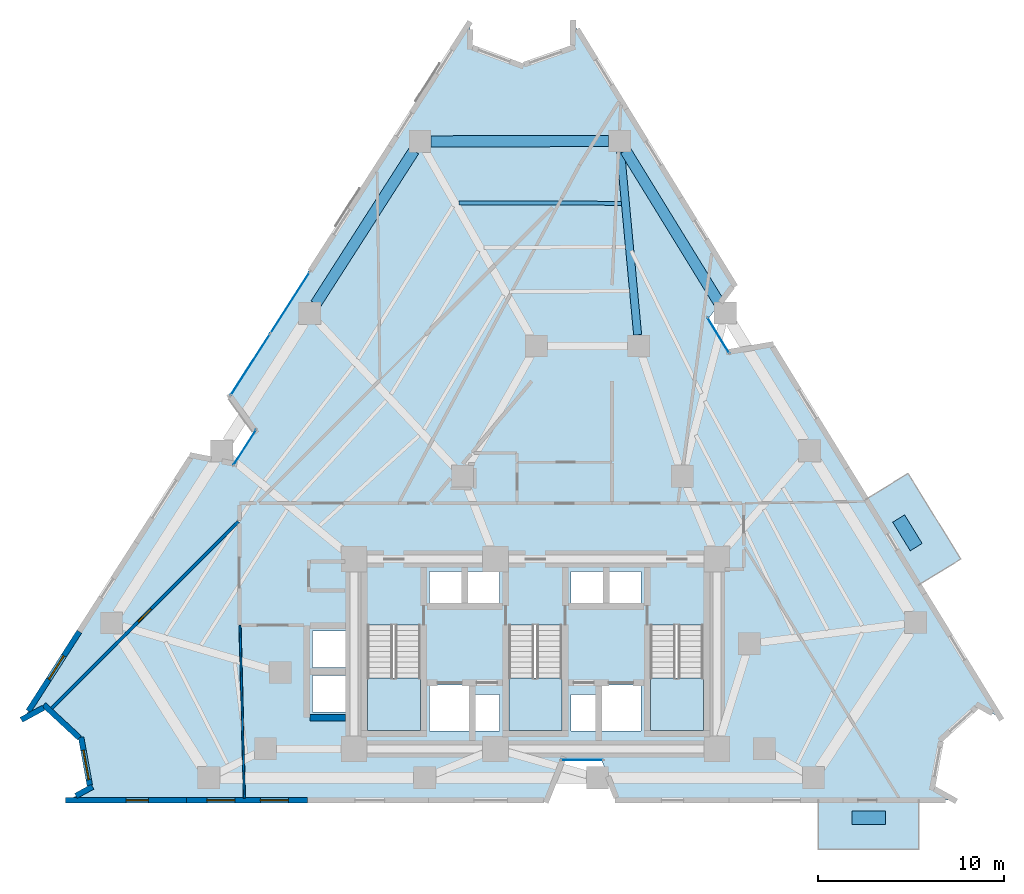
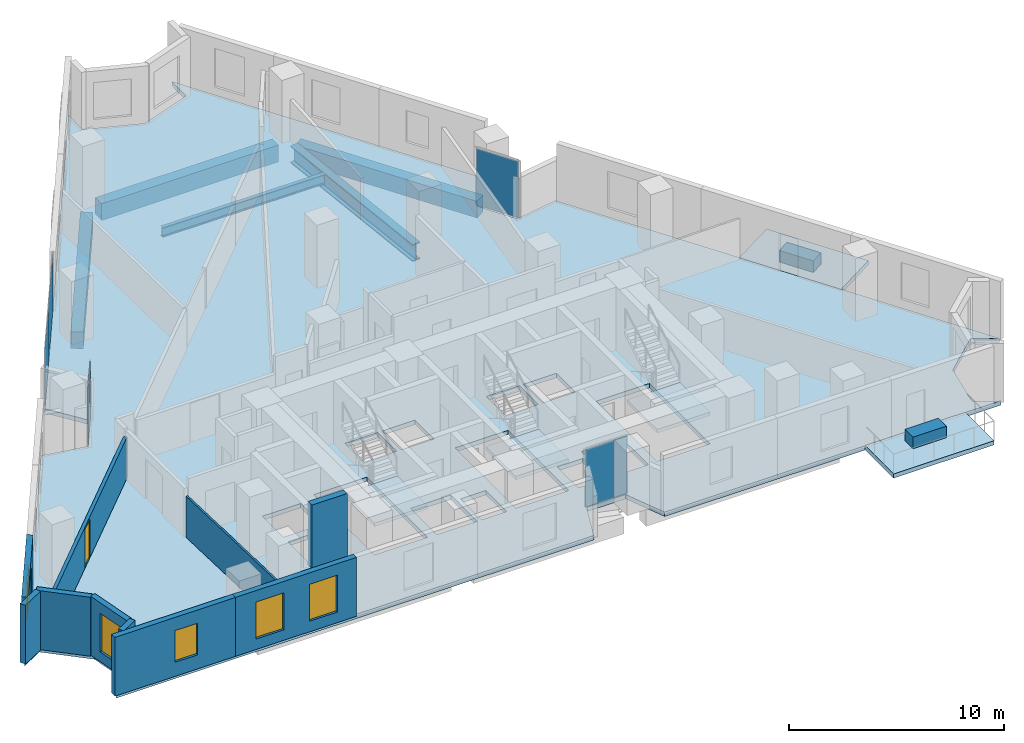
# One storey, part 5 of 12: 10 walls, 7 plates, 6 slabs, 5 beams, 5 windows, 1 door, 6 openings, 7 elements without a shape of their own.
"""IFC4 building model written with IfcOpenShell, lengths in metres."""

from ifc_helpers import new_model, si_unit, direction, frame, frame_2d, origin, origin_2d, place, context, subcontext, project, spatial, polyline, rectangle, i_section, outline, extrude, material, layer, layer_set, material_profile, profile_set, type_object, element, fill, aggregate, save


model = new_model("IFC4")

# Units and contexts
model_context = context("Model", 3, precision=1e-05, world=origin(), true_north=direction((0.0, 1.0)))
body_context = subcontext(model_context, "Body", "Model", "MODEL_VIEW")
ifc_project = project(units=[si_unit("LENGTHUNIT", "METRE"), si_unit("AREAUNIT", "SQUARE_METRE"), si_unit("VOLUMEUNIT", "CUBIC_METRE"), si_unit("PLANEANGLEUNIT", "RADIAN"), si_unit("MASSUNIT", "GRAM", prefix="KILO")], contexts=[model_context])

# Site, building, storey
site_placement = place(None, origin())
site = spatial("IfcSite", under=ifc_project, at=site_placement, CompositionType="ELEMENT")
building_placement = place(site_placement, origin())
building = spatial("IfcBuilding", under=site, at=building_placement, Name="Almagre Mirador Tower", CompositionType="ELEMENT")
storey_placement = place(building_placement, frame((0.0, 0.0, 93.0)))
storey = spatial("IfcBuildingStorey", under=building, at=storey_placement, Name="L23", CompositionType="ELEMENT", Elevation=93.0)

# Beams
ifc_material_1 = material(Name="Steel ASTM A992 Grade 50", Category="steel")
ifc_material_profile_1 = material_profile(ifc_material_1, i_section(OverallWidth=0.214111328125, OverallDepth=0.549072265625, WebThickness=0.0146484375, FlangeThickness=0.023681640625, FilletRadius=0.01806640625, at=origin_2d()), Name="W21X93")
ifc_profile_set_1 = profile_set([ifc_material_profile_1], Name="Steel ASTM A992 Grade 50")
beam_type_1 = type_object("IfcBeamType", Name="BM-JST-W21X93", PredefinedType="JOIST", material=ifc_profile_set_1)
beam_1_placement = place(storey_placement, frame((41.923095703125, 33.86328125, -0.5244140625), z_axis=(-0.999997681519, 0.00215335929, 0.0), x_axis=(-0.00215335929, -0.999997681519, 0.0)))
element("IfcBeam", 1, at=beam_1_placement, inside=storey, type_object=beam_type_1, Name="L23 secondary floor joist PC08-PC09.1", PredefinedType="JOIST", context=body_context, shape_type="SweptSolid", body=[
    extrude(i_section(OverallWidth=0.214111328125, OverallDepth=0.549072265625, WebThickness=0.0146484375, FlangeThickness=0.023681640625, FilletRadius=0.01806640625, at=origin_2d()), origin(), (0.0, 0.0, 1.0), 8.72998046875),
])
ifc_material_2 = material(Name="Precast concrete C50/60", Category="concrete")
ifc_material_profile_2 = material_profile(ifc_material_2, rectangle(XDim=0.60009765625, YDim=0.949951171875, at=origin_2d()), Name="RC600X950")
ifc_profile_set_2 = profile_set([ifc_material_profile_2], Name="Precast concrete C50/60")
beam_type_2 = type_object("IfcBeamType", Name="BM-SPN-RC600X950", PredefinedType="SPANDREL", material=ifc_profile_set_2)
beam_2_placement = place(storey_placement, frame((47.19189453125, 28.47900390625, -0.72509765625), z_axis=(-0.523685040843, 0.851911954369, 0.0), x_axis=(-0.851911954369, -0.523685040843, 0.0)))
element("IfcBeam", 2, at=beam_2_placement, inside=storey, type_object=beam_type_2, Name="L23 perimeter spandrel beam PC07-PC08", PredefinedType="SPANDREL", context=body_context, shape_type="SweptSolid", body=[
    extrude(rectangle(XDim=0.60009765625, YDim=0.949951171875, at=origin_2d()), origin(), (0.0, 0.0, 1.0), 9.646484375),
])
beam_3_placement = place(storey_placement, frame((41.22607421875, 37.206787109375, -0.72509765625), z_axis=(-0.999998482053, -0.001742380833, 0.0), x_axis=(0.001742380833, -0.999998482053, 0.0)))
element("IfcBeam", 3, at=beam_3_placement, inside=storey, type_object=beam_type_2, Name="L23 perimeter spandrel beam PC08-PC09", PredefinedType="SPANDREL", context=body_context, shape_type="SweptSolid", body=[
    extrude(rectangle(XDim=0.60009765625, YDim=0.949951171875, at=origin_2d()), origin(), (0.0, 0.0, 1.0), 9.528076171875),
])
beam_4_placement = place(storey_placement, frame((30.7744140625, 36.683837890625, -0.72509765625), z_axis=(-0.539465454843, -0.842007733356, 0.0), x_axis=(0.842007733356, -0.539465454843, 0.0)))
element("IfcBeam", 4, at=beam_4_placement, inside=storey, type_object=beam_type_2, Name="L23 perimeter spandrel beam PC09-PC10", PredefinedType="SPANDREL", context=body_context, shape_type="SweptSolid", body=[
    extrude(rectangle(XDim=0.60009765625, YDim=0.949951171875, at=origin_2d()), origin(), (0.0, 0.0, 1.0), 9.77392578125),
])
ifc_material_3 = material(Name="Steel ASTM A992 Grade 50", Category="steel")
ifc_material_profile_3 = material_profile(ifc_material_3, i_section(OverallWidth=0.427978515625, OverallDepth=0.97509765625, WebThickness=0.031005859375, FlangeThickness=0.055908203125, FilletRadius=0.028076171875, at=origin_2d()), Name="W36X395")
ifc_profile_set_3 = profile_set([ifc_material_profile_3], Name="Steel ASTM A992 Grade 50")
beam_type_3 = type_object("IfcBeamType", Name="BM-STL-W36X395", PredefinedType="BEAM", material=ifc_profile_set_3)
beam_5_placement = place(storey_placement, frame((41.881591796875, 36.610595703125, -0.737548828125), z_axis=(0.092621655493, -0.99570137538, 0.0), x_axis=(0.99570137538, 0.092621655493, 0.0)))
element("IfcBeam", 5, at=beam_5_placement, inside=storey, type_object=beam_type_3, Name="L23 radial floor girder PC08-MC6", PredefinedType="BEAM", context=body_context, shape_type="SweptSolid", body=[
    extrude(i_section(OverallWidth=0.427978515625, OverallDepth=0.97509765625, WebThickness=0.031005859375, FlangeThickness=0.055908203125, FilletRadius=0.028076171875, at=origin_2d()), origin(), (0.0, 0.0, 1.0), 9.855712890625),
])

# Curtain wall, plate
ifc_material_4 = material(Name="Black anodized aluminium", Category="aluminium")
ifc_layer_1 = layer(ifc_material_4, 0.169921875)
ifc_layer_set_1 = layer_set([ifc_layer_1], Name="Black anodized aluminium")
curtain_wall_type_1 = type_object("IfcCurtainWallType", Name="CW-CRS-SYS", PredefinedType="NOTDEFINED", material=ifc_layer_set_1)
curtain_wall_1_placement = place(storey_placement, origin())
curtain_wall_1 = element("IfcCurtainWall", 6, at=curtain_wall_1_placement, inside=storey, type_object=curtain_wall_type_1, Name="L23 vertical crease curtain wall 01", PredefinedType="NOTDEFINED")
ifc_material_5 = material(Name="Dark solar-control laminated hurricane glass", Category="glass")
ifc_layer_2 = layer(ifc_material_5, 0.028076171875)
ifc_layer_set_2 = layer_set([ifc_layer_2], Name="Dark solar-control laminated hurricane glass")
plate_type_1 = type_object("IfcPlateType", Name="PLT-GLZ-28", PredefinedType="CURTAIN_PANEL", material=ifc_layer_set_2)
plate_1_placement = place(storey_placement, frame((21.69091796875, 20.7451171875, 0.06005859375), z_axis=(0.0, 0.0, 1.0), x_axis=(0.539558777859, 0.841947934991, 0.0)))
plate_1 = element("IfcPlate", 7, at=plate_1_placement, type_object=plate_type_1, Name="CW-4 panel 1.1", PredefinedType="CURTAIN_PANEL", context=body_context, shape_type="SweptSolid", body=[
    extrude(rectangle(XDim=2.25048828125, YDim=0.028076171875, at=origin_2d()), origin(), (0.0, 0.0, 1.0), 3.22998046875),
])
aggregate(curtain_wall_1, [plate_1])

curtain_wall_2_placement = place(storey_placement, origin())
curtain_wall_2 = element("IfcCurtainWall", 8, at=curtain_wall_2_placement, inside=storey, type_object=curtain_wall_type_1, Name="L23 vertical crease curtain wall 03", PredefinedType="NOTDEFINED")
plate_2_placement = place(storey_placement, frame((47.132080078125, 26.761474609375, 0.06005859375), z_axis=(0.0, 0.0, 1.0), x_axis=(0.523414605102, -0.852078136772, 0.0)))
plate_2 = element("IfcPlate", 9, at=plate_2_placement, type_object=plate_type_1, Name="CW-4 panel 1.1", PredefinedType="CURTAIN_PANEL", context=body_context, shape_type="SweptSolid", body=[
    extrude(rectangle(XDim=2.250244140625, YDim=0.028076171875, at=origin_2d()), origin(), (0.0, 0.0, 1.0), 3.22998046875),
])
aggregate(curtain_wall_2, [plate_2])

curtain_wall_3_placement = place(storey_placement, origin())
curtain_wall_3 = element("IfcCurtainWall", 10, at=curtain_wall_3_placement, inside=storey, type_object=curtain_wall_type_1, Name="L23 vertical crease curtain wall 04", PredefinedType="NOTDEFINED")
plate_3_placement = place(storey_placement, frame((39.80810546875, 3.949951171875, 0.06005859375), z_axis=(0.0, 0.0, 1.0), x_axis=(-1.0, 0.0, 0.0)))
plate_3 = element("IfcPlate", 11, at=plate_3_placement, type_object=plate_type_1, Name="CW-4 panel 1.1", PredefinedType="CURTAIN_PANEL", context=body_context, shape_type="SweptSolid", body=[
    extrude(rectangle(XDim=2.25, YDim=0.028076171875, at=origin_2d()), origin(), (0.0, 0.0, 1.0), 3.22998046875),
])
aggregate(curtain_wall_3, [plate_3])

# Curtain wall, plates
ifc_material_6 = material(Name="Black anodized aluminium", Category="aluminium")
ifc_layer_3 = layer(ifc_material_6, 0.18994140625)
ifc_layer_set_3 = layer_set([ifc_layer_3], Name="Black anodized aluminium")
curtain_wall_type_2 = type_object("IfcCurtainWallType", Name="CW-RES-L-SYS", PredefinedType="NOTDEFINED", material=ifc_layer_set_3)
curtain_wall_4_placement = place(storey_placement, origin())
curtain_wall_4 = element("IfcCurtainWall", 12, at=curtain_wall_4_placement, inside=storey, type_object=curtain_wall_type_2, Name="L23 curtain wall run 02", PredefinedType="NOTDEFINED")
ifc_material_7 = material(Name="Dark solar-control laminated hurricane glass", Category="glass")
ifc_layer_4 = layer(ifc_material_7, 0.031982421875)
ifc_layer_set_4 = layer_set([ifc_layer_4], Name="Dark solar-control laminated hurricane glass")
plate_type_2 = type_object("IfcPlateType", Name="PLT-GLZ-32", PredefinedType="CURTAIN_PANEL", material=ifc_layer_set_4)
plate_4_placement = place(storey_placement, frame((21.98876953125, 25.194091796875, 0.06005859375), z_axis=(0.0, 0.0, 1.0), x_axis=(0.539450916101, 0.842017047997, 0.0)))
plate_4 = element("IfcPlate", 13, at=plate_4_placement, type_object=plate_type_2, Name="CW-2 panel 1.1", PredefinedType="CURTAIN_PANEL", context=body_context, shape_type="SweptSolid", body=[
    extrude(rectangle(XDim=3.884521484375, YDim=0.031982421875, at=origin_2d()), origin(), (0.0, 0.0, 1.0), 3.22998046875),
])
plate_5_placement = place(storey_placement, frame((24.119384765625, 28.519775390625, 0.06005859375), z_axis=(0.0, 0.0, 1.0), x_axis=(0.539450916101, 0.842017047997, 0.0)))
plate_5 = element("IfcPlate", 14, at=plate_5_placement, type_object=plate_type_2, Name="CW-2 panel 2.1", PredefinedType="CURTAIN_PANEL", context=body_context, shape_type="SweptSolid", body=[
    extrude(rectangle(XDim=3.884521484375, YDim=0.031982421875, at=origin_2d()), origin(), (0.0, 0.0, 1.0), 3.22998046875),
])
aggregate(curtain_wall_4, [plate_4, plate_5])

# Plates
ifc_material_8 = material(Name="Precast concrete C50/60", Category="concrete")
ifc_layer_5 = layer(ifc_material_8, 0.64990234375)
ifc_layer_set_5 = layer_set([ifc_layer_5], Name="Precast concrete C50/60")
plate_type_3 = type_object("IfcPlateType", Name="PLT-PLANTER-1800", PredefinedType="USERDEFINED", material=ifc_layer_set_5)
for number, where, z_axis, x_axis, name in (
    (15, (55.199951171875, 0.85009765625, 0.0), (0.0, 0.0, 1.0), (1.0, 0.0, 0.0), "L23 south balcony structural tree planter 1"),
    (16, (57.2890625, 16.157958984375, 0.0), (0.0, 0.0, 1.0), (-0.523688565266, 0.851909787835, 0.0), "L23 east balcony structural tree planter 2"),
):
    element("IfcPlate", number, at=place(storey_placement, frame(where, z_axis=z_axis, x_axis=x_axis)), inside=storey, type_object=plate_type_3, Name=name, ObjectType="PLANTER", PredefinedType="USERDEFINED", context=body_context, shape_type="SweptSolid", body=[
        extrude(rectangle(XDim=1.800048828125, YDim=0.75, at=origin_2d()), origin(), (0.0, 0.0, 1.0), 0.64990234375),
    ])

# Slabs
ifc_material_9 = material(Name="Concrete C45/55", Category="concrete")
ifc_layer_6 = layer(ifc_material_9, 0.239990234375)
ifc_layer_set_6 = layer_set([ifc_layer_6], Name="Concrete C45/55")
slab_type_1 = type_object("IfcSlabType", Name="SLB-BAL-240", PredefinedType="USERDEFINED", material=ifc_layer_set_6)
slab_1_placement = place(storey_placement, frame((0.0, 0.0, -0.239990234375)))
element("IfcSlab", 17, at=slab_1_placement, inside=storey, type_object=slab_type_1, Name="L23 south planted tree balcony 1", ObjectType="BALCONY", PredefinedType="USERDEFINED", context=body_context, shape_type="SweptSolid", body=[
    extrude(outline(polyline([(52.5, 1.820068359375), (57.89990234375, 1.820068359375), (57.89990234375, -0.85009765625), (52.5, -0.85009765625), (52.5, 1.820068359375)])), origin(), (0.0, 0.0, 1.0), 0.239990234375),
])
slab_2_placement = place(storey_placement, frame((0.0, 0.0, -0.239990234375)))
element("IfcSlab", 18, at=slab_2_placement, inside=storey, type_object=slab_type_1, Name="L23 east planted tree balcony 2", ObjectType="BALCONY", PredefinedType="USERDEFINED", context=body_context, shape_type="SweptSolid", body=[
    extrude(outline(polyline([(57.876953125, 13.35009765625), (55.049072265625, 17.949951171875), (57.323974609375, 19.347900390625), (60.152099609375, 14.748046875), (57.876953125, 13.35009765625)])), origin(), (0.0, 0.0, 1.0), 0.239990234375),
])
ifc_material_10 = material(Name="Concrete C45/55", Category="concrete")
ifc_layer_7 = layer(ifc_material_10, 0.25)
ifc_layer_set_7 = layer_set([ifc_layer_7], Name="Concrete C45/55")
slab_type_2 = type_object("IfcSlabType", Name="SLB-FLR-250", PredefinedType="FLOOR", material=ifc_layer_set_7)
slab_3_placement = place(storey_placement, frame((0.0, 0.0, -0.25)))
element("IfcSlab", 19, at=slab_3_placement, inside=storey, type_object=slab_type_2, Name="L23 structural floor slab", PredefinedType="FLOOR", context=body_context, shape_type="SweptSolid", body=[
    extrude(outline(polyline([(9.804931640625, 6.177978515625), (10.989990234375, 6.825927734375), (12.9169921875, 5.035888671875), (13.384033203125, 2.447998046875), (12.199951171875, 1.800048828125), (37.907958984375, 1.800048828125), (38.762939453125, 3.949951171875), (40.85302734375, 3.949951171875), (41.7080078125, 1.800048828125), (59.800048828125, 1.800048828125), (58.6220703125, 2.458984375), (59.114013671875, 5.091064453125), (61.09912109375, 6.888916015625), (62.277099609375, 6.22998046875), (49.958984375, 26.26904296875), (47.678955078125, 25.87109375), (46.5849609375, 27.652099609375), (47.968994140625, 29.506103515625), (39.322998046875, 43.570068359375), (39.31103515625, 42.219970703125), (36.537109375, 41.256103515625), (33.781982421875, 42.27197265625), (33.794921875, 43.6220703125), (20.906005859375, 23.50390625), (22.2548828125, 21.625), (21.126953125, 19.864990234375), (18.85595703125, 20.304931640625), (9.804931640625, 6.177978515625)]), holes=[polyline([(43.47509765625, 11.196044921875), (46.324951171875, 11.196044921875), (46.324951171875, 5.550048828125), (43.47509765625, 5.550048828125), (43.47509765625, 11.196044921875)]), polyline([(40.820068359375, 5.52001953125), (40.820068359375, 7.97998046875), (42.97998046875, 7.97998046875), (42.97998046875, 5.52001953125), (40.820068359375, 5.52001953125)]), polyline([(41.219970703125, 12.320068359375), (41.219970703125, 14.080078125), (42.97998046875, 14.080078125), (42.97998046875, 12.320068359375), (41.219970703125, 12.320068359375)]), polyline([(39.219970703125, 12.320068359375), (39.219970703125, 14.080078125), (40.97998046875, 14.080078125), (40.97998046875, 12.320068359375), (39.219970703125, 12.320068359375)]), polyline([(39.219970703125, 5.52001953125), (39.219970703125, 7.47998046875), (40.580078125, 7.47998046875), (40.580078125, 5.52001953125), (39.219970703125, 5.52001953125)]), polyline([(35.875, 11.196044921875), (38.72509765625, 11.196044921875), (38.72509765625, 5.550048828125), (35.875, 5.550048828125), (35.875, 11.196044921875)]), polyline([(35.3798828125, 5.52001953125), (34.02001953125, 5.52001953125), (34.02001953125, 7.47998046875), (35.3798828125, 7.47998046875), (35.3798828125, 5.52001953125)]), polyline([(35.3798828125, 12.320068359375), (33.6201171875, 12.320068359375), (33.6201171875, 14.080078125), (35.3798828125, 14.080078125), (35.3798828125, 12.320068359375)]), polyline([(31.6201171875, 5.52001953125), (31.6201171875, 7.97998046875), (33.780029296875, 7.97998046875), (33.780029296875, 5.52001953125), (31.6201171875, 5.52001953125)]), polyline([(31.6201171875, 12.320068359375), (31.6201171875, 14.080078125), (33.3798828125, 14.080078125), (33.3798828125, 12.320068359375), (31.6201171875, 12.320068359375)]), polyline([(28.27490234375, 5.550048828125), (28.27490234375, 11.196044921875), (31.125, 11.196044921875), (31.125, 5.550048828125), (28.27490234375, 5.550048828125)]), polyline([(25.320068359375, 6.52001953125), (25.320068359375, 8.47998046875), (27.3798828125, 8.47998046875), (27.3798828125, 6.52001953125), (25.320068359375, 6.52001953125)]), polyline([(25.320068359375, 8.919921875), (25.320068359375, 10.8798828125), (27.3798828125, 10.8798828125), (27.3798828125, 8.919921875), (25.320068359375, 8.919921875)])]), origin(), (0.0, 0.0, 1.0), 0.25),
])

# Stair, slab
ifc_material_11 = material(Name="Concrete C45/55", Category="concrete")
stair_type = type_object("IfcStairType", Name="STR-DL-3600", PredefinedType="HALF_TURN_STAIR", material=ifc_material_11)
stair_1_placement = place(storey_placement, origin())
stair_1 = element("IfcStair", 20, at=stair_1_placement, inside=storey, type_object=stair_type, Name="L23 Protected exit stair ST-1", PredefinedType="HALF_TURN_STAIR")
ifc_material_12 = material(Name="Concrete C45/55", Category="concrete")
ifc_layer_8 = layer(ifc_material_12, 0.199951171875)
ifc_layer_set_8 = layer_set([ifc_layer_8], Name="Concrete C45/55")
slab_type_3 = type_object("IfcSlabType", Name="SLB-LND-200", PredefinedType="LANDING", material=ifc_layer_set_8)
slab_4_placement = place(storey_placement, frame((0.0, 0.0, 1.60009765625)))
slab_4 = element("IfcSlab", 21, at=slab_4_placement, type_object=slab_type_3, Name="ST-1 landing 1", PredefinedType="LANDING", context=body_context, shape_type="SweptSolid", body=[
    extrude(outline(polyline([(28.27490234375, 8.35009765625), (28.27490234375, 5.550048828125), (31.125, 5.550048828125), (31.125, 8.35009765625), (28.27490234375, 8.35009765625)])), origin(), (0.0, 0.0, 1.0), 0.199951171875),
])
aggregate(stair_1, [slab_4])

stair_2_placement = place(storey_placement, origin())
stair_2 = element("IfcStair", 22, at=stair_2_placement, inside=storey, type_object=stair_type, Name="L23 Protected exit stair ST-2", PredefinedType="HALF_TURN_STAIR")
slab_5_placement = place(storey_placement, frame((0.0, 0.0, 1.60009765625)))
slab_5 = element("IfcSlab", 23, at=slab_5_placement, type_object=slab_type_3, Name="ST-2 landing 1", PredefinedType="LANDING", context=body_context, shape_type="SweptSolid", body=[
    extrude(outline(polyline([(35.875, 8.35009765625), (35.875, 5.550048828125), (38.72509765625, 5.550048828125), (38.72509765625, 8.35009765625), (35.875, 8.35009765625)])), origin(), (0.0, 0.0, 1.0), 0.199951171875),
])
aggregate(stair_2, [slab_5])

stair_3_placement = place(storey_placement, origin())
stair_3 = element("IfcStair", 24, at=stair_3_placement, inside=storey, type_object=stair_type, Name="L23 Protected exit stair ST-3", PredefinedType="HALF_TURN_STAIR")
slab_6_placement = place(storey_placement, frame((0.0, 0.0, 1.60009765625)))
slab_6 = element("IfcSlab", 25, at=slab_6_placement, type_object=slab_type_3, Name="ST-3 landing 1", PredefinedType="LANDING", context=body_context, shape_type="SweptSolid", body=[
    extrude(outline(polyline([(43.47509765625, 8.35009765625), (43.47509765625, 5.550048828125), (46.324951171875, 5.550048828125), (46.324951171875, 8.35009765625), (43.47509765625, 8.35009765625)])), origin(), (0.0, 0.0, 1.0), 0.199951171875),
])
aggregate(stair_3, [slab_6])

# Wall, openings, windows
ifc_material_13 = material(Name="Precast concrete C50/60", Category="concrete")
ifc_layer_9 = layer(ifc_material_13, 0.300048828125)
ifc_layer_set_9 = layer_set([ifc_layer_9], Name="Precast concrete C50/60")
wall_type_1 = type_object("IfcWallType", Name="WAL-EXT-300", PredefinedType="SOLIDWALL", material=ifc_layer_set_9)
wall_1_placement = place(storey_placement, frame((25.053955078125, 1.800048828125, 0.0), z_axis=(0.0, 0.0, 1.0), x_axis=(-1.0, 0.0, 0.0)))
wall_1 = element("IfcWall", 26, at=wall_1_placement, inside=storey, type_object=wall_type_1, Name="L23 expressed almagre precast frame wall 29", PredefinedType="SOLIDWALL", context=body_context, shape_type="SweptSolid", body=[
    extrude(rectangle(XDim=6.4970703125, YDim=0.300048828125, at=frame_2d((3.24853515625, 0.0))), origin(), (0.0, 0.0, 1.0), 3.35009765625),
])
opening_1_placement = place(wall_1_placement, frame((3.89990234375, 0.0, 0.60009765625)))
opening_1 = element("IfcOpeningElement", 27, at=opening_1_placement, cuts=wall_1, Name="Opening WN-03", PredefinedType="OPENING", context=body_context, shape_type="SweptSolid", body=[
    extrude(rectangle(XDim=1.5, YDim=2.10009765625, at=frame_2d((0.75, 1.050048828125))), frame((0.0, 0.159902, 0.0), z_axis=(0.0, -1.0, 0.0), x_axis=(1.0, 0.0, 0.0)), (0.0, 0.0, 1.0), 0.320049),
])
opening_2_placement = place(wall_1_placement, frame((1.02490234375, 0.0, 0.60009765625)))
opening_2 = element("IfcOpeningElement", 28, at=opening_2_placement, cuts=wall_1, Name="Opening WN-03", PredefinedType="OPENING", context=body_context, shape_type="SweptSolid", body=[
    extrude(rectangle(XDim=1.5, YDim=2.10009765625, at=frame_2d((0.75, 1.050048828125))), frame((0.0, 0.159902, 0.0), z_axis=(0.0, -1.0, 0.0), x_axis=(1.0, 0.0, 0.0)), (0.0, 0.0, 1.0), 0.320049),
])
ifc_material_14 = material(Name="Dark solar-control laminated hurricane glass", Category="glass")
window_type_1 = type_object("IfcWindowType", Name="WIN-1500X2100", PartitioningType="DOUBLE_PANEL_VERTICAL", PredefinedType="WINDOW", material=ifc_material_14)
window_1_placement = place(opening_1_placement, origin())
window_1 = element("IfcWindow", 29, at=window_1_placement, inside=storey, type_object=window_type_1, Name="L23 recessed hurricane window L23-RST-A", OverallHeight=2.10009765625, OverallWidth=1.5, PartitioningType="SINGLE_PANEL", PredefinedType="WINDOW", context=body_context, shape_type="SweptSolid", body=[
    extrude(rectangle(XDim=1.5, YDim=2.10009765625, at=frame_2d((0.75, 1.050048828125))), frame((0.0, 0.030029296875, 0.0), z_axis=(0.0, -1.0, 0.0), x_axis=(1.0, 0.0, 0.0)), (0.0, 0.0, 1.0), 0.06005859375),
])
fill(opening_1, window_1)
window_2_placement = place(opening_2_placement, origin())
window_2 = element("IfcWindow", 30, at=window_2_placement, inside=storey, type_object=window_type_1, Name="L23 recessed hurricane window L23-RST-B", OverallHeight=2.10009765625, OverallWidth=1.5, PartitioningType="SINGLE_PANEL", PredefinedType="WINDOW", context=body_context, shape_type="SweptSolid", body=[
    extrude(rectangle(XDim=1.5, YDim=2.10009765625, at=frame_2d((0.75, 1.050048828125))), frame((0.0, 0.030029296875, 0.0), z_axis=(0.0, -1.0, 0.0), x_axis=(1.0, 0.0, 0.0)), (0.0, 0.0, 1.0), 0.06005859375),
])
fill(opening_2, window_2)

# Wall, opening, window
wall_2_placement = place(storey_placement, frame((18.556884765625, 1.800048828125, 0.0), z_axis=(0.0, 0.0, 1.0), x_axis=(-1.0, 0.0, 0.0)))
wall_2 = element("IfcWall", 31, at=wall_2_placement, inside=storey, type_object=wall_type_1, Name="L23 expressed almagre precast frame wall 30", PredefinedType="SOLIDWALL", context=body_context, shape_type="SweptSolid", body=[
    extrude(rectangle(XDim=6.496826171875, YDim=0.300048828125, at=frame_2d((3.24853515625, 0.0))), origin(), (0.0, 0.0, 1.0), 3.35009765625),
])
opening_3_placement = place(wall_2_placement, frame((2.050048828125, 0.0, 0.800048828125)))
opening_3 = element("IfcOpeningElement", 32, at=opening_3_placement, cuts=wall_2, Name="Opening WN-04", PredefinedType="OPENING", context=body_context, shape_type="SweptSolid", body=[
    extrude(rectangle(XDim=1.199951171875, YDim=1.800048828125, at=frame_2d((0.60009765625, 0.89990234375))), frame((0.0, 0.159902, 0.0), z_axis=(0.0, -1.0, 0.0), x_axis=(1.0, 0.0, 0.0)), (0.0, 0.0, 1.0), 0.320049),
])
ifc_material_15 = material(Name="Dark solar-control laminated hurricane glass", Category="glass")
window_type_2 = type_object("IfcWindowType", Name="WIN-1200X1800", PartitioningType="SINGLE_PANEL", PredefinedType="WINDOW", material=ifc_material_15)
window_3_placement = place(opening_3_placement, origin())
window_3 = element("IfcWindow", 33, at=window_3_placement, inside=storey, type_object=window_type_2, Name="L23 recessed hurricane window L23-RST-A", OverallHeight=1.800048828125, OverallWidth=1.199951171875, PartitioningType="SINGLE_PANEL", PredefinedType="WINDOW", context=body_context, shape_type="SweptSolid", body=[
    extrude(rectangle(XDim=1.199951171875, YDim=1.800048828125, at=frame_2d((0.60009765625, 0.89990234375))), frame((0.0, 0.030029296875, 0.0), z_axis=(0.0, -1.0, 0.0), x_axis=(1.0, 0.0, 0.0)), (0.0, 0.0, 1.0), 0.06005859375),
])
fill(opening_3, window_3)

# Wall
wall_3_placement = place(storey_placement, frame((12.6123046875, 2.025634765625, 0.0), z_axis=(0.0, 0.0, 1.0), x_axis=(0.877245120991, 0.480042704036, 0.0)))
element("IfcWall", 34, at=wall_3_placement, inside=storey, type_object=wall_type_1, Name="L23 expressed almagre precast frame wall 31", PredefinedType="SOLIDWALL", context=body_context, shape_type="SweptSolid", body=[
    extrude(rectangle(XDim=1.019775390625, YDim=0.300048828125, at=frame_2d((0.509765625, 0.0))), origin(), (0.0, 0.0, 1.0), 3.35009765625),
])

# Wall, opening, window
wall_4_placement = place(storey_placement, frame((13.360107421875, 2.580810546875, 0.0), z_axis=(0.0, 0.0, 1.0), x_axis=(-0.177621463404, 0.984098885142, 0.0)))
wall_4 = element("IfcWall", 35, at=wall_4_placement, inside=storey, type_object=wall_type_1, Name="L23 expressed almagre precast frame wall 32", PredefinedType="SOLIDWALL", context=body_context, shape_type="SweptSolid", body=[
    extrude(rectangle(XDim=2.635009765625, YDim=0.300048828125, at=frame_2d((1.3173828125, 0.0))), origin(), (0.0, 0.0, 1.0), 3.35009765625),
])
opening_4_placement = place(wall_4_placement, frame((0.324951171875, 0.0, 0.550048828125)))
opening_4 = element("IfcOpeningElement", 36, at=opening_4_placement, cuts=wall_4, Name="Opening WN-06", PredefinedType="OPENING", context=body_context, shape_type="SweptSolid", body=[
    extrude(rectangle(XDim=1.60009765625, YDim=2.199951171875, at=frame_2d((0.800048828125, 1.10009765625))), frame((0.0, 0.159902, 0.0), z_axis=(0.0, -1.0, 0.0), x_axis=(1.0, 0.0, 0.0)), (0.0, 0.0, 1.0), 0.320049),
])
ifc_material_16 = material(Name="Dark solar-control laminated hurricane glass", Category="glass")
window_type_3 = type_object("IfcWindowType", Name="WIN-1600X2200", PartitioningType="DOUBLE_PANEL_VERTICAL", PredefinedType="WINDOW", material=ifc_material_16)
window_4_placement = place(opening_4_placement, origin())
window_4 = element("IfcWindow", 37, at=window_4_placement, inside=storey, type_object=window_type_3, Name="L23 recessed hurricane window L23-RST-A", OverallHeight=2.199951171875, OverallWidth=1.60009765625, PartitioningType="SINGLE_PANEL", PredefinedType="WINDOW", context=body_context, shape_type="SweptSolid", body=[
    extrude(rectangle(XDim=1.60009765625, YDim=2.199951171875, at=frame_2d((0.800048828125, 1.10009765625))), frame((0.0, 0.030029296875, 0.0), z_axis=(0.0, -1.0, 0.0), x_axis=(1.0, 0.0, 0.0)), (0.0, 0.0, 1.0), 0.06005859375),
])
fill(opening_4, window_4)

# Walls
wall_5_placement = place(storey_placement, frame((12.80712890625, 5.13818359375, 0.0), z_axis=(0.0, 0.0, 1.0), x_axis=(-0.732670686937, 0.680583326642, 0.0)))
element("IfcWall", 38, at=wall_5_placement, inside=storey, type_object=wall_type_1, Name="L23 expressed almagre precast frame wall 33", PredefinedType="SOLIDWALL", context=body_context, shape_type="SweptSolid", body=[
    extrude(rectangle(XDim=2.6201171875, YDim=0.300048828125, at=frame_2d((1.31005859375, 0.0))), origin(), (0.0, 0.0, 1.0), 3.35009765625),
])
wall_6_placement = place(storey_placement, frame((10.8759765625, 6.763671875, 0.0), z_axis=(0.0, 0.0, 1.0), x_axis=(-0.877387661902, -0.47978212841, 0.0)))
element("IfcWall", 39, at=wall_6_placement, inside=storey, type_object=wall_type_1, Name="L23 expressed almagre precast frame wall 34", PredefinedType="SOLIDWALL", context=body_context, shape_type="SweptSolid", body=[
    extrude(rectangle(XDim=1.360595703125, YDim=0.300048828125, at=frame_2d((0.68017578125, 0.0))), origin(), (0.0, 0.0, 1.0), 3.35009765625),
])

# Wall, opening, window
wall_7_placement = place(storey_placement, frame((10.061279296875, 6.577880859375, 0.0), z_axis=(0.0, 0.0, 1.0), x_axis=(0.539464859434, 0.842008114828, 0.0)))
wall_7 = element("IfcWall", 40, at=wall_7_placement, inside=storey, type_object=wall_type_1, Name="L23 expressed almagre precast frame wall 35", PredefinedType="SOLIDWALL", context=body_context, shape_type="SweptSolid", body=[
    extrude(rectangle(XDim=5.071044921875, YDim=0.300048828125, at=frame_2d((2.53564453125, 0.0))), origin(), (0.0, 0.0, 1.0), 3.35009765625),
])
opening_5_placement = place(wall_7_placement, frame((2.034912109375, 0.0, 0.60009765625)))
opening_5 = element("IfcOpeningElement", 41, at=opening_5_placement, cuts=wall_7, Name="Opening WN-03", PredefinedType="OPENING", context=body_context, shape_type="SweptSolid", body=[
    extrude(rectangle(XDim=1.5, YDim=2.10009765625, at=frame_2d((0.75, 1.050048828125))), frame((0.0, 0.159902, 0.0), z_axis=(0.0, -1.0, 0.0), x_axis=(1.0, 0.0, 0.0)), (0.0, 0.0, 1.0), 0.320049),
])
window_5_placement = place(opening_5_placement, origin())
window_5 = element("IfcWindow", 42, at=window_5_placement, inside=storey, type_object=window_type_1, Name="L23 recessed hurricane window L23-RST-E", OverallHeight=2.10009765625, OverallWidth=1.5, PartitioningType="SINGLE_PANEL", PredefinedType="WINDOW", context=body_context, shape_type="SweptSolid", body=[
    extrude(rectangle(XDim=1.5, YDim=2.10009765625, at=frame_2d((0.75, 1.050048828125))), frame((0.0, 0.030029296875, 0.0), z_axis=(0.0, -1.0, 0.0), x_axis=(1.0, 0.0, 0.0)), (0.0, 0.0, 1.0), 0.06005859375),
])
fill(opening_5, window_5)

# Wall
ifc_material_17 = material(Name="Gypsum acoustic stud partition", Category="other")
ifc_layer_10 = layer(ifc_material_17, 0.10009765625)
ifc_layer_set_10 = layer_set([ifc_layer_10], Name="Gypsum acoustic stud partition")
wall_type_2 = type_object("IfcWallType", Name="WAL-PRT-100-CLS", PredefinedType="PARTITIONING", material=ifc_layer_set_10)
wall_8_placement = place(storey_placement, frame((21.6669921875, 1.89990234375, 0.0), z_axis=(0.0, 0.0, 1.0), x_axis=(-0.025459219334, 0.999675861543, 0.0)))
element("IfcWall", 43, at=wall_8_placement, inside=storey, type_object=wall_type_2, Name="L23 interior partition 014", PredefinedType="PARTITIONING", context=body_context, shape_type="SweptSolid", body=[
    extrude(rectangle(XDim=9.27294921875, YDim=0.10009765625, at=frame_2d((4.636474609375, 0.0))), origin(), (0.0, 0.0, 1.0), 2.344970703125),
])

# Wall, opening, door
ifc_material_18 = material(Name="Gypsum acoustic stud partition", Category="other")
ifc_layer_11 = layer(ifc_material_18, 0.175048828125)
ifc_layer_set_11 = layer_set([ifc_layer_11], Name="Gypsum acoustic stud partition")
wall_type_3 = type_object("IfcWallType", Name="WAL-PRT-175-AC", PredefinedType="PARTITIONING", material=ifc_layer_set_11)
wall_9_placement = place(storey_placement, frame((21.33984375, 16.760009765625, 0.0), z_axis=(0.0, 0.0, 1.0), x_axis=(-0.70674642835, -0.707466950475, 0.0)))
wall_9 = element("IfcWall", 44, at=wall_9_placement, inside=storey, type_object=wall_type_3, Name="L23 interior partition 015", PredefinedType="PARTITIONING", context=body_context, shape_type="SweptSolid", body=[
    extrude(rectangle(XDim=14.231201171875, YDim=0.175048828125, at=frame_2d((7.11572265625, 0.0))), origin(), (0.0, 0.0, 1.0), 2.344970703125),
])
opening_6_placement = place(wall_9_placement, frame((6.648193359375, 0.0, 0.0)))
opening_6 = element("IfcOpeningElement", 45, at=opening_6_placement, cuts=wall_9, Name="Opening UD-01", PredefinedType="OPENING", context=body_context, shape_type="SweptSolid", body=[
    extrude(rectangle(XDim=0.949951171875, YDim=2.199951171875, at=frame_2d((0.47509765625, 1.10009765625))), frame((0.0, 0.097402, 0.0), z_axis=(0.0, -1.0, 0.0), x_axis=(1.0, 0.0, 0.0)), (0.0, 0.0, 1.0), 0.195049),
])
ifc_material_19 = material(Name="Solid American walnut timber", Category="wood")
door_type = type_object("IfcDoorType", Name="DOR-UNR-950X2200", OperationType="NOTDEFINED", PredefinedType="DOOR", material=ifc_material_19)
door_placement = place(opening_6_placement, origin())
door = element("IfcDoor", 46, at=door_placement, inside=storey, type_object=door_type, Name="DR-0796 L23 interior door L23-RST-A to L23-RST-E", OperationType="SINGLE_SWING_RIGHT", OverallHeight=2.199951171875, OverallWidth=0.949951171875, PredefinedType="DOOR", context=body_context, shape_type="SweptSolid", body=[
    extrude(rectangle(XDim=0.949951171875, YDim=2.199951171875, at=frame_2d((0.47509765625, 1.10009765625))), frame((0.0, 0.02490234375, 0.0), z_axis=(0.0, -1.0, 0.0), x_axis=(1.0, 0.0, 0.0)), (0.0, 0.0, 1.0), 0.050048828125),
])
fill(opening_6, door)

# Wall
ifc_material_20 = material(Name="Concrete C60/75", Category="concrete")
ifc_layer_12 = layer(ifc_material_20, 0.35009765625)
ifc_layer_set_12 = layer_set([ifc_layer_12], Name="Concrete C60/75")
wall_type_4 = type_object("IfcWallType", Name="WAL-SHF-350", PredefinedType="SOLIDWALL", material=ifc_layer_set_12)
wall_10_placement = place(storey_placement, frame((25.199951171875, 6.22509765625, 0.0), z_axis=(0.0, 0.0, 1.0), x_axis=(1.0, 0.0, 0.0)))
element("IfcWall", 47, at=wall_10_placement, inside=storey, type_object=wall_type_4, Name="L23 shaft wall OL-S", PredefinedType="SOLIDWALL", context=body_context, shape_type="SweptSolid", body=[
    extrude(rectangle(XDim=1.900146484375, YDim=0.35009765625, at=frame_2d((0.9501953125, 0.0))), origin(), (0.0, 0.0, 1.0), 3.60009765625),
])

save(model, "model.ifc")
